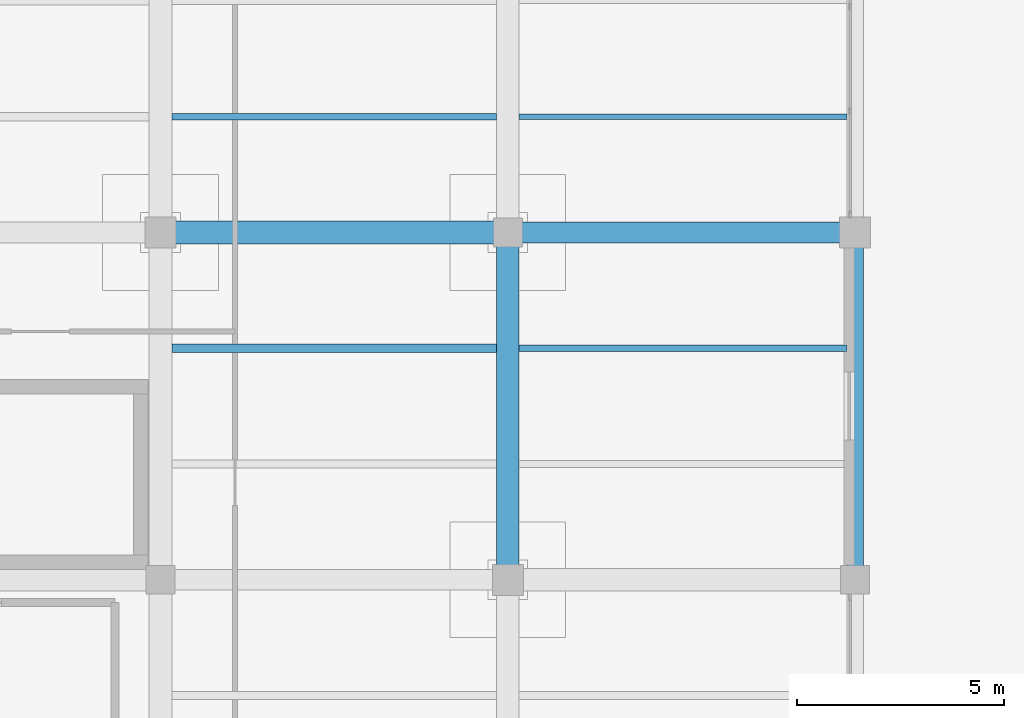
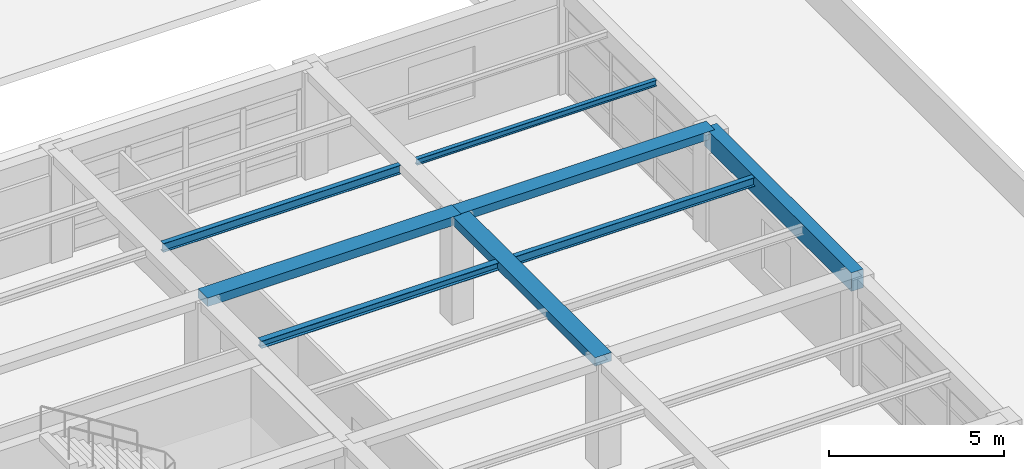
# One storey, part 21 of 35: 8 beams.
"""IFC4 building model written with IfcOpenShell, lengths in metres."""

import ifcopenshell
import ifcopenshell.guid

model = None  # the IFC model being written
_history = None  # IfcOwnerHistory: only IFC2X3 demands one
_inside = {}  # id of a spatial element -> (the spatial element, [elements in it])
_under = {}  # id of a project, library or spatial element -> (it, [spatial elements below it])
_declared = {}  # id of a project -> (the project, [libraries it declares])
_typed = {}  # id of a type object -> (the type object, [elements of that type])
_made_of = {}  # id of a material, layer set ... -> (it, [elements and type objects made of it])


def new_model(schema):
    """Start an empty IFC model of exactly this schema.

    Asked for "IFC4X3", IfcOpenShell would pick the latest addendum, in which some entities
    have other attributes; the version numbers below select the first issue.
    IFC2X3 requires an IfcOwnerHistory on every rooted entity: one is made here for all.
    """
    global model, _history
    if schema == "IFC4X3":
        model = ifcopenshell.file(schema_version=(4, 3, 0, 0))
    else:
        model = ifcopenshell.file(schema=schema)
    _inside.clear()
    _under.clear()
    _declared.clear()
    _typed.clear()
    _made_of.clear()
    _history = None
    if model.schema == "IFC2X3":
        org = make("IfcOrganization", Name="unknown")
        user = make(
            "IfcPersonAndOrganization",
            ThePerson=make("IfcPerson", FamilyName="unknown"),
            TheOrganization=org,
        )
        app = make(
            "IfcApplication",
            ApplicationDeveloper=org,
            Version="unknown",
            ApplicationFullName="unknown",
            ApplicationIdentifier="unknown",
        )
        _history = make(
            "IfcOwnerHistory",
            OwningUser=user,
            OwningApplication=app,
            ChangeAction="ADDED",
            CreationDate=0,
        )
    return model


def make(cls, **values):
    """One entity of the class cls with the attributes given. An attribute that is None is left unset."""
    return model.create_entity(
        cls, **{name: value for name, value in values.items() if value is not None}
    )


def rooted(cls, **values):
    """An entity with a GlobalId (a new one), such as an element, a storey or a relation."""
    return make(cls, GlobalId=ifcopenshell.guid.new(), OwnerHistory=_history, **values)


def si_unit(unit_type, name, prefix=None):
    """IfcSIUnit, for example si_unit("LENGTHUNIT", "METRE", prefix="MILLI")."""
    return make("IfcSIUnit", UnitType=unit_type, Prefix=prefix, Name=name)


def assignment(units):
    """IfcUnitAssignment: the units of a project."""
    return None if units is None else make("IfcUnitAssignment", Units=units)


def point(xyz):
    """IfcCartesianPoint."""
    return None if xyz is None else make("IfcCartesianPoint", Coordinates=xyz)


def direction(xyz):
    """IfcDirection."""
    return None if xyz is None else make("IfcDirection", DirectionRatios=xyz)


def frame(location, z_axis=None, x_axis=None):
    """IfcAxis2Placement3D, a coordinate frame: its origin and axes. An axis left out is left unset."""
    return make(
        "IfcAxis2Placement3D",
        Location=point(location),
        Axis=direction(z_axis),
        RefDirection=direction(x_axis),
    )


def frame_2d(location, x_axis=None):
    """IfcAxis2Placement2D, a coordinate frame in the plane: its origin and x axis."""
    return make(
        "IfcAxis2Placement2D", Location=point(location), RefDirection=direction(x_axis)
    )


def origin():
    """The frame at (0, 0, 0) with its axes left unset."""
    return frame((0.0, 0.0, 0.0))


def origin_2d():
    """The frame at (0, 0) in the plane with its x axis left unset."""
    return frame_2d((0.0, 0.0))


def place(relative_to, where):
    """IfcLocalPlacement: puts the frame where relative to a parent placement (None: the world)."""
    return make(
        "IfcLocalPlacement", PlacementRelTo=relative_to, RelativePlacement=where
    )


def context(
    kind, dimensions, precision=None, world=None, true_north=None, identifier=None
):
    """IfcGeometricRepresentationContext, for example the 3D "Model" context."""
    return make(
        "IfcGeometricRepresentationContext",
        ContextIdentifier=identifier,
        ContextType=kind,
        CoordinateSpaceDimension=dimensions,
        Precision=precision,
        WorldCoordinateSystem=world,
        TrueNorth=true_north,
    )


def subcontext(parent, identifier, kind, view, scale=None):
    """IfcGeometricRepresentationSubContext, for example "Body" below "Model"."""
    return make(
        "IfcGeometricRepresentationSubContext",
        ContextIdentifier=identifier,
        ContextType=kind,
        ParentContext=parent,
        TargetScale=scale,
        TargetView=view,
    )


def project(units=None, contexts=None):
    """IfcProject with its units and contexts."""
    return rooted(
        "IfcProject",
        Name="project",
        RepresentationContexts=contexts,
        UnitsInContext=assignment(units),
    )


def spatial(cls, under=None, at=None, **own):
    """A site, building, storey or space (cls), placed at a placement, below another one or the project."""
    s = rooted(cls, ObjectPlacement=at, **own)
    if under is not None:
        _under.setdefault(under.id(), (under, []))[1].append(s)
    return s


def profile(cls, at=None, kind="AREA", **sizes):
    """A parametric profile (cls). Its sizes go by their IFC names, for example OverallWidth=200.0."""
    return make(cls, ProfileType=kind, Position=at, **sizes)


def rectangle(**sizes):
    """IfcRectangleProfileDef."""
    return profile("IfcRectangleProfileDef", **sizes)


def i_section(**sizes):
    """IfcIShapeProfileDef."""
    return profile("IfcIShapeProfileDef", **sizes)


def extrude(swept, where, along, depth):
    """IfcExtrudedAreaSolid: the profile swept, set in the frame where, extruded along a direction by depth."""
    return make(
        "IfcExtrudedAreaSolid",
        SweptArea=swept,
        Position=where,
        ExtrudedDirection=direction(along),
        Depth=depth,
    )


def shape(context_of_items, identifier, shape_type, items):
    """IfcShapeRepresentation: the items that make up one representation, for example the "Body"."""
    return make(
        "IfcShapeRepresentation",
        ContextOfItems=context_of_items,
        RepresentationIdentifier=identifier,
        RepresentationType=shape_type,
        Items=items,
    )


def material(Name=None, Category=None):
    """IfcMaterial."""
    return make("IfcMaterial", Name=Name, Category=Category)


def material_profile(
    of_material, cross_section, Name=None, Category=None, Priority=None
):
    """IfcMaterialProfile: a cross section and its material."""
    return make(
        "IfcMaterialProfile",
        Name=Name,
        Material=of_material,
        Profile=cross_section,
        Priority=Priority,
        Category=Category,
    )


def profile_set(profiles, Name=None, composite=None):
    """IfcMaterialProfileSet."""
    return make(
        "IfcMaterialProfileSet",
        Name=Name,
        MaterialProfiles=profiles,
        CompositeProfile=composite,
    )


def made_of(thing, what):
    """Note that an element or type object is made of a material, layer set ...; save() writes the relation."""
    if what is not None:
        _made_of.setdefault(what.id(), (what, []))[1].append(thing)
    return thing


def type_object(cls, material=None, **own):
    """A type object (cls), such as IfcWallType, which elements share."""
    return made_of(rooted(cls, **own), material)


def element(
    cls,
    number,
    at=None,
    inside=None,
    cuts=None,
    type_object=None,
    material=None,
    context=None,
    identifier="Body",
    shape_type=None,
    held_by="IfcProductDefinitionShape",
    body=None,
    shapes=None,
    **own,
):
    """One element of the class cls, such as IfcWall. Its Tag is "e" and its number.

    at: its placement. inside: the storey or other place that contains it. cuts: it is an
    opening in that element (IfcRelVoidsElement). A single representation is given by context,
    identifier, shape_type and body (its items); several are given by shapes. held_by: the class
    of the entity that holds the representations. save() writes the other relations.
    """
    e = rooted(cls, Tag="e%d" % number, ObjectPlacement=at, **own)
    if body is not None:
        shapes = [shape(context, identifier, shape_type, body)]
    if shapes is not None:
        e.Representation = make(held_by, Representations=shapes)
    if inside is not None:
        _inside.setdefault(inside.id(), (inside, []))[1].append(e)
    if cuts is not None:
        rooted(
            "IfcRelVoidsElement", RelatingBuildingElement=cuts, RelatedOpeningElement=e
        )
    if type_object is not None:
        _typed.setdefault(type_object.id(), (type_object, []))[1].append(e)
    return made_of(e, material)


def aggregate(whole, parts):
    """IfcRelAggregates: a whole, such as a stair, and the parts it consists of."""
    return rooted("IfcRelAggregates", RelatingObject=whole, RelatedObjects=parts)


def save(model, path):
    """Write the relations noted so far, then the file.

    IfcRelAggregates (storeys below a building ...), IfcRelContainedInSpatialStructure (elements
    in a storey), IfcRelDefinesByType, IfcRelAssociatesMaterial and IfcRelDeclares: one each for
    every whole, place, type object, material and project.
    """
    for whole, parts in _under.values():
        aggregate(whole, parts)
    for where, things in _inside.values():
        rooted(
            "IfcRelContainedInSpatialStructure",
            RelatedElements=things,
            RelatingStructure=where,
        )
    for kind, things in _typed.values():
        rooted("IfcRelDefinesByType", RelatedObjects=things, RelatingType=kind)
    for what, things in _made_of.values():
        rooted("IfcRelAssociatesMaterial", RelatedObjects=things, RelatingMaterial=what)
    for by, libraries in _declared.values():
        rooted("IfcRelDeclares", RelatingContext=by, RelatedDefinitions=libraries)
    model.write(path)


model = new_model("IFC4")

# Units and contexts
model_context = context("Model", 3, precision=1e-05, world=origin(), true_north=direction((0.0, 1.0)))
body_context = subcontext(model_context, "Body", "Model", "MODEL_VIEW")
ifc_project = project(units=[si_unit("LENGTHUNIT", "METRE"), si_unit("AREAUNIT", "SQUARE_METRE"), si_unit("VOLUMEUNIT", "CUBIC_METRE"), si_unit("PLANEANGLEUNIT", "RADIAN"), si_unit("MASSUNIT", "GRAM", prefix="KILO")], contexts=[model_context])

# Site, building, storey
site_placement = place(None, origin())
site = spatial("IfcSite", under=ifc_project, at=site_placement, CompositionType="ELEMENT")
building_placement = place(site_placement, origin())
building = spatial("IfcBuilding", under=site, at=building_placement, Name="Almacenes y Pasaje Nevantli", CompositionType="ELEMENT")
storey_placement = place(building_placement, frame((0.0, 0.0, 26.699951171875)))
storey = spatial("IfcBuildingStorey", under=building, at=storey_placement, Name="L06", CompositionType="ELEMENT", Elevation=26.699951171875)

# Beams
ifc_material_1 = material(Name="Concrete C35/45", Category="concrete")
ifc_material_profile_1 = material_profile(ifc_material_1, rectangle(XDim=0.39990234375, YDim=0.64990234375, at=origin_2d()), Name="RC-BM-400x650")
ifc_profile_set_1 = profile_set([ifc_material_profile_1], Name="Concrete C35/45")
beam_type_1 = type_object("IfcBeamType", Name="BM-RC-400x650", PredefinedType="SPANDREL", material=ifc_profile_set_1)
beam_1_placement = place(storey_placement, frame((159.60009765625, 84.0, 3.39501953125), z_axis=(0.0, 1.0, 0.0), x_axis=(-1.0, 0.0, 0.0)))
element("IfcBeam", 1, at=beam_1_placement, inside=storey, type_object=beam_type_1, Name="L06 North-South Reinforced Concrete Beam #3627", PredefinedType="SPANDREL", context=body_context, shape_type="SweptSolid", body=[
    extrude(rectangle(XDim=0.39990234375, YDim=0.64990234375, at=origin_2d()), origin(), (0.0, 0.0, 1.0), 8.39990234375),
])
ifc_material_2 = material(Name="Concrete C35/45", Category="concrete")
ifc_material_profile_2 = material_profile(ifc_material_2, rectangle(XDim=0.5, YDim=0.280029296875, at=origin_2d()), Name="RC-BM-500x280")
ifc_profile_set_2 = profile_set([ifc_material_profile_2], Name="Concrete C35/45")
beam_type_2 = type_object("IfcBeamType", Name="BM-RC-500x280", PredefinedType="BEAM", material=ifc_profile_set_2)
beam_2_placement = place(storey_placement, frame((151.199951171875, 92.39990234375, 3.580078125), z_axis=(1.0, 0.0, 0.0), x_axis=(0.0, 1.0, 0.0)))
element("IfcBeam", 2, at=beam_2_placement, inside=storey, type_object=beam_type_2, Name="L06 East-West Reinforced Concrete Beam #3596", PredefinedType="BEAM", context=body_context, shape_type="SweptSolid", body=[
    extrude(rectangle(XDim=0.5, YDim=0.280029296875, at=origin_2d()), origin(), (0.0, 0.0, 1.0), 8.400146484375),
])
ifc_material_3 = material(Name="Concrete C35/45", Category="concrete")
ifc_material_profile_3 = material_profile(ifc_material_3, rectangle(XDim=0.550048828125, YDim=0.300048828125, at=origin_2d()), Name="RC-BM-550x300")
ifc_profile_set_3 = profile_set([ifc_material_profile_3], Name="Concrete C35/45")
beam_type_3 = type_object("IfcBeamType", Name="BM-RC-550x300", PredefinedType="BEAM", material=ifc_profile_set_3)
for number, where, z_axis, x_axis, name in (
    (3, (142.800048828125, 92.39990234375, 3.570068359375), (1.0, 0.0, 0.0), (0.0, 1.0, 0.0), "L06 East-West Reinforced Concrete Beam #3595"),
    (4, (151.199951171875, 84.0, 3.570068359375), (0.0, 1.0, 0.0), (-1.0, 0.0, 0.0), "L06 North-South Reinforced Concrete Beam #3623"),
):
    element("IfcBeam", number, at=place(storey_placement, frame(where, z_axis=z_axis, x_axis=x_axis)), inside=storey, type_object=beam_type_3, Name=name, PredefinedType="BEAM", context=body_context, shape_type="SweptSolid", body=[
        extrude(rectangle(XDim=0.550048828125, YDim=0.300048828125, at=origin_2d()), origin(), (0.0, 0.0, 1.0), 8.39990234375),
    ])
ifc_material_4 = material(Name="Steel ASTM A992", Category="steel")
ifc_material_profile_4 = material_profile(ifc_material_4, i_section(OverallWidth=0.134033203125, OverallDepth=0.2099609375, WebThickness=0.00634765625, FlangeThickness=0.01025390625, at=origin_2d()), Name="IR 203x31.3")
ifc_profile_set_4 = profile_set([ifc_material_profile_4], Name="Steel ASTM A992")
beam_type_4 = type_object("IfcBeamType", Name="BM-STL-IR-203x31p3", PredefinedType="JOIST", material=ifc_profile_set_4)
beam_3_placement = place(storey_placement, frame((151.47509765625, 95.199951171875, 3.60693359375), z_axis=(1.0, 0.0, 0.0), x_axis=(0.0, 1.0, 0.0)))
element("IfcBeam", 5, at=beam_3_placement, inside=storey, type_object=beam_type_4, Name="L06 Secondary Steel Floor Joist #1385", PredefinedType="JOIST", context=body_context, shape_type="SweptSolid", body=[
    extrude(i_section(OverallWidth=0.134033203125, OverallDepth=0.2099609375, WebThickness=0.00634765625, FlangeThickness=0.01025390625, at=origin_2d()), origin(), (0.0, 0.0, 1.0), 7.9248046875),
])
ifc_material_5 = material(Name="Steel ASTM A992", Category="steel")
ifc_material_profile_5 = material_profile(ifc_material_5, i_section(OverallWidth=0.2041015625, OverallDepth=0.258056640625, WebThickness=0.008056640625, FlangeThickness=0.013427734375, at=origin_2d()), Name="IR 254x58.0")
ifc_profile_set_5 = profile_set([ifc_material_profile_5], Name="Steel ASTM A992")
beam_type_5 = type_object("IfcBeamType", Name="BM-STL-IR-254x58p0", PredefinedType="JOIST", material=ifc_profile_set_5)
beam_4_placement = place(storey_placement, frame((143.074951171875, 89.60009765625, 3.5830078125), z_axis=(1.0, 0.0, 0.0), x_axis=(0.0, 1.0, 0.0)))
element("IfcBeam", 6, at=beam_4_placement, inside=storey, type_object=beam_type_5, Name="L06 Secondary Steel Floor Joist #1376", PredefinedType="JOIST", context=body_context, shape_type="SweptSolid", body=[
    extrude(i_section(OverallWidth=0.2041015625, OverallDepth=0.258056640625, WebThickness=0.008056640625, FlangeThickness=0.013427734375, at=origin_2d()), origin(), (0.0, 0.0, 1.0), 7.85009765625),
])
ifc_material_6 = material(Name="Steel ASTM A992", Category="steel")
ifc_material_profile_6 = material_profile(ifc_material_6, i_section(OverallWidth=0.1650390625, OverallDepth=0.306884765625, WebThickness=0.006591796875, FlangeThickness=0.01025390625, at=origin_2d()), Name="IR 305x44.6")
ifc_profile_set_6 = profile_set([ifc_material_profile_6], Name="Steel ASTM A992")
beam_type_6 = type_object("IfcBeamType", Name="BM-STL-IR-305x44p6", PredefinedType="JOIST", material=ifc_profile_set_6)
beam_5_placement = place(storey_placement, frame((143.074951171875, 95.199951171875, 3.55859375), z_axis=(1.0, 0.0, 0.0), x_axis=(0.0, 1.0, 0.0)))
element("IfcBeam", 7, at=beam_5_placement, inside=storey, type_object=beam_type_6, Name="L06 Secondary Steel Floor Joist #1377", PredefinedType="JOIST", context=body_context, shape_type="SweptSolid", body=[
    extrude(i_section(OverallWidth=0.1650390625, OverallDepth=0.306884765625, WebThickness=0.006591796875, FlangeThickness=0.01025390625, at=origin_2d()), origin(), (0.0, 0.0, 1.0), 7.85009765625),
])
beam_6_placement = place(storey_placement, frame((151.47509765625, 89.60009765625, 3.55859375), z_axis=(1.0, 0.0, 0.0), x_axis=(0.0, 1.0, 0.0)))
element("IfcBeam", 8, at=beam_6_placement, inside=storey, type_object=beam_type_6, Name="L06 Secondary Steel Floor Joist #1384", PredefinedType="JOIST", context=body_context, shape_type="SweptSolid", body=[
    extrude(i_section(OverallWidth=0.1650390625, OverallDepth=0.306884765625, WebThickness=0.006591796875, FlangeThickness=0.01025390625, at=origin_2d()), origin(), (0.0, 0.0, 1.0), 7.9248046875),
])

save(model, "model.ifc")
